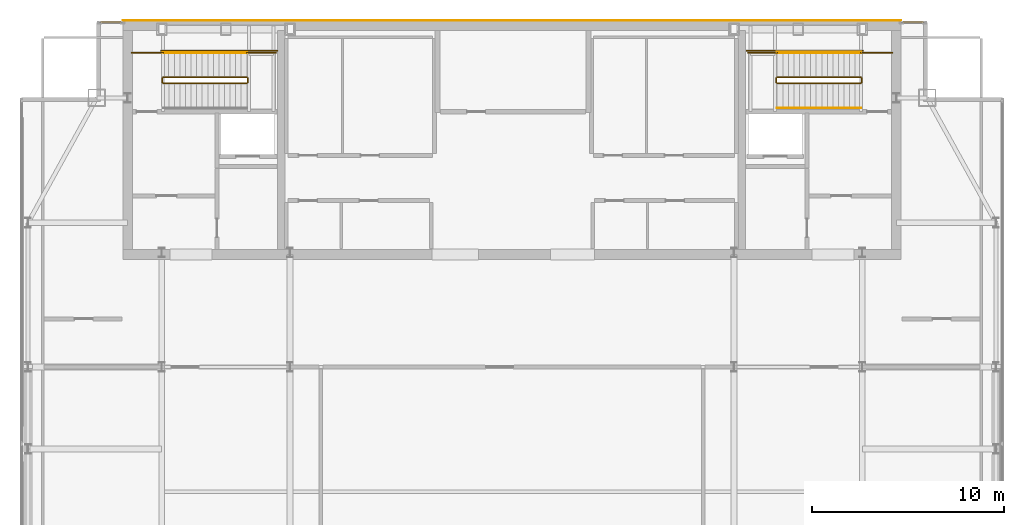
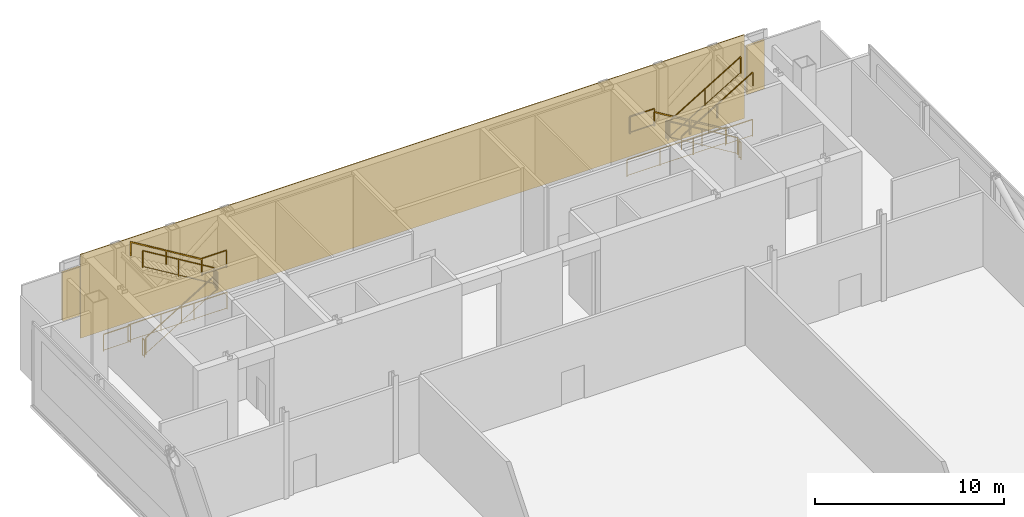
# One storey, part 22 of 22: 17 railings, 2 shading devices, 1 covering.
"""IFC4 building model written with IfcOpenShell, lengths in metres."""

from ifc_helpers import new_model, si_unit, direction, frame, origin, origin_2d, place, context, subcontext, project, spatial, polyline, rectangle, outline, extrude, material, layer, layer_set, type_object, element, save


model = new_model("IFC4")

# Units and contexts
model_context = context("Model", 3, precision=1e-05, world=origin(), true_north=direction((0.0, 1.0)))
body_context = subcontext(model_context, "Body", "Model", "MODEL_VIEW")
ifc_project = project(units=[si_unit("LENGTHUNIT", "METRE"), si_unit("AREAUNIT", "SQUARE_METRE"), si_unit("VOLUMEUNIT", "CUBIC_METRE"), si_unit("PLANEANGLEUNIT", "RADIAN"), si_unit("MASSUNIT", "GRAM", prefix="KILO")], contexts=[model_context])

# Site, building, storey
site_placement = place(None, origin())
site = spatial("IfcSite", under=ifc_project, at=site_placement, CompositionType="ELEMENT")
building_placement = place(site_placement, origin())
building = spatial("IfcBuilding", under=site, at=building_placement, Name="Khoronbel Lancet Exchange", CompositionType="ELEMENT")
storey_placement = place(building_placement, frame((0.0, 0.0, 361.800048828125)))
storey = spatial("IfcBuildingStorey", under=building, at=storey_placement, Name="L93", CompositionType="ELEMENT", Elevation=361.800048828125)

# Covering
ifc_material_1 = material(Name="Honed Egyptian Limestone & Bronze Rainscreen", Category="masonry")
ifc_layer_1 = layer(ifc_material_1, 0.050048828125, Name="Honed Egyptian Limestone & Bronze Rainscreen")
ifc_layer_set_1 = layer_set([ifc_layer_1], Name="Honed Egyptian Limestone & Bronze Rainscreen")
covering_type = type_object("IfcCoveringType", Name="COV-CLAD1", PredefinedType="CLADDING", material=ifc_layer_set_1)
covering_placement = place(storey_placement, origin())
element("IfcCovering", 1, at=covering_placement, inside=storey, type_object=covering_type, Name="Level L93 north rear-core stone and bronze rainscreen cladding", PredefinedType="CLADDING", context=body_context, shape_type="SweptSolid", body=[
    extrude(outline(polyline([(16.199951171875, 53.699951171875), (56.699951171875, 53.699951171875), (56.699951171875, 53.75), (16.199951171875, 53.75), (16.199951171875, 53.699951171875)])), origin(), (0.0, 0.0, 1.0), 5.39990234375),
])

# Railings
ifc_material_2 = material(Name="Painted Steel Balustrade", Category="steel")
railing_type_1 = type_object("IfcRailingType", Name="RL-STG110", PredefinedType="GUARDRAIL", material=ifc_material_2)
railing_1_placement = place(storey_placement, frame((18.300048828125, 50.449951171875, 0.175048828125)))
element("IfcRailing", 2, at=railing_1_placement, inside=storey, type_object=railing_type_1, Name="L93 ST1 stair guard 1", PredefinedType="GUARDRAIL", context=body_context, shape_type="SweptSolid", body=[
    extrude(rectangle(XDim=0.048095703125, YDim=0.048095703125, at=origin_2d()), frame((0.0, 0.0, 1.09619140625), z_axis=(0.856179964356, 0.0, 0.516677722218), x_axis=(0.0, 1.0, 0.0)), (0.0, 0.0, 1.0), 5.08056640625),
    extrude(rectangle(XDim=0.02392578125, YDim=0.02392578125, at=origin_2d()), frame((0.0, 0.0, 0.080078125), z_axis=(0.856179964356, 0.0, 0.516677722218), x_axis=(0.0, 1.0, 0.0)), (0.0, 0.0, 1.0), 5.08056640625),
    extrude(rectangle(XDim=0.0419921875, YDim=0.0419921875, at=origin_2d()), origin(), (0.0, 0.0, 1.0), 1.072021484375),
    extrude(rectangle(XDim=0.0419921875, YDim=0.0419921875, at=origin_2d()), frame((2.1748046875, 0.0, 1.3125)), (0.0, 0.0, 1.0), 1.072021484375),
    extrude(rectangle(XDim=0.0419921875, YDim=0.0419921875, at=origin_2d()), frame((4.349853515625, 0.0, 2.625)), (0.0, 0.0, 1.0), 1.072021484375),
])
railing_2_placement = place(storey_placement, frame((22.699951171875, 50.5, 2.800048828125)))
element("IfcRailing", 3, at=railing_2_placement, inside=storey, type_object=railing_type_1, Name="L93 ST1 stair guard 2", PredefinedType="GUARDRAIL", context=body_context, shape_type="SweptSolid", body=[
    extrude(rectangle(XDim=0.048095703125, YDim=0.048095703125, at=origin_2d()), frame((0.0, 0.0, 1.09619140625), z_axis=(0.0, 1.0, 0.0), x_axis=(-1.0, 0.0, 0.0)), (0.0, 0.0, 1.0), 0.219970703125),
    extrude(rectangle(XDim=0.02392578125, YDim=0.02392578125, at=origin_2d()), frame((0.0, 0.0, 0.080078125), z_axis=(0.0, 1.0, 0.0), x_axis=(-1.0, 0.0, 0.0)), (0.0, 0.0, 1.0), 0.219970703125),
    extrude(rectangle(XDim=0.0419921875, YDim=0.0419921875, at=origin_2d()), origin(), (0.0, 0.0, 1.0), 1.072021484375),
    extrude(rectangle(XDim=0.0419921875, YDim=0.0419921875, at=origin_2d()), frame((0.0, 0.219970703125, 0.0)), (0.0, 0.0, 1.0), 1.072021484375),
])
railing_3_placement = place(storey_placement, frame((22.64990234375, 52.050048828125, 2.800048828125)))
element("IfcRailing", 4, at=railing_3_placement, inside=storey, type_object=railing_type_1, Name="L93 ST1 stair guard 3", PredefinedType="GUARDRAIL", context=body_context, shape_type="SweptSolid", body=[
    extrude(rectangle(XDim=0.048095703125, YDim=0.048095703125, at=origin_2d()), frame((0.0, 0.0, 1.09619140625), z_axis=(1.0, 0.0, 0.0), x_axis=(0.0, 1.0, 0.0)), (0.0, 0.0, 1.0), 1.5),
    extrude(rectangle(XDim=0.02392578125, YDim=0.02392578125, at=origin_2d()), frame((0.0, 0.0, 0.080078125), z_axis=(1.0, 0.0, 0.0), x_axis=(0.0, 1.0, 0.0)), (0.0, 0.0, 1.0), 1.5),
    extrude(rectangle(XDim=0.0419921875, YDim=0.0419921875, at=origin_2d()), origin(), (0.0, 0.0, 1.0), 1.072021484375),
    extrude(rectangle(XDim=0.0419921875, YDim=0.0419921875, at=origin_2d()), frame((1.5, 0.0, 0.0)), (0.0, 0.0, 1.0), 1.072021484375),
])
railing_4_placement = place(storey_placement, frame((22.64990234375, 50.77001953125, 2.974853515625)))
element("IfcRailing", 5, at=railing_4_placement, inside=storey, type_object=railing_type_1, Name="L93 ST1 stair guard 4", PredefinedType="GUARDRAIL", context=body_context, shape_type="SweptSolid", body=[
    extrude(rectangle(XDim=0.048095703125, YDim=0.048095703125, at=origin_2d()), frame((0.0, 0.0, 1.09619140625), z_axis=(-0.856179964356, 0.0, 0.516677722218), x_axis=(0.0, -1.0, 0.0)), (0.0, 0.0, 1.0), 5.08056640625),
    extrude(rectangle(XDim=0.02392578125, YDim=0.02392578125, at=origin_2d()), frame((0.0, 0.0, 0.080078125), z_axis=(-0.856179964356, 0.0, 0.516677722218), x_axis=(0.0, -1.0, 0.0)), (0.0, 0.0, 1.0), 5.08056640625),
    extrude(rectangle(XDim=0.0419921875, YDim=0.0419921875, at=origin_2d()), origin(), (0.0, 0.0, 1.0), 1.072021484375),
    extrude(rectangle(XDim=0.0419921875, YDim=0.0419921875, at=origin_2d()), frame((-2.1748046875, 0.0, 1.3125)), (0.0, 0.0, 1.0), 1.072021484375),
    extrude(rectangle(XDim=0.0419921875, YDim=0.0419921875, at=origin_2d()), frame((-4.349853515625, 0.0, 2.625)), (0.0, 0.0, 1.0), 1.072021484375),
])
railing_5_placement = place(storey_placement, frame((18.25, 50.5, 0.0)))
element("IfcRailing", 6, at=railing_5_placement, inside=storey, type_object=railing_type_1, Name="L93 ST1 stair guard 5", PredefinedType="GUARDRAIL", context=body_context, shape_type="SweptSolid", body=[
    extrude(rectangle(XDim=0.048095703125, YDim=0.048095703125, at=origin_2d()), frame((0.0, 0.0, 1.09619140625), z_axis=(0.0, 1.0, 0.0), x_axis=(-1.0, 0.0, 0.0)), (0.0, 0.0, 1.0), 0.219970703125),
    extrude(rectangle(XDim=0.02392578125, YDim=0.02392578125, at=origin_2d()), frame((0.0, 0.0, 0.080078125), z_axis=(0.0, 1.0, 0.0), x_axis=(-1.0, 0.0, 0.0)), (0.0, 0.0, 1.0), 0.219970703125),
    extrude(rectangle(XDim=0.0419921875, YDim=0.0419921875, at=origin_2d()), origin(), (0.0, 0.0, 1.0), 1.072021484375),
    extrude(rectangle(XDim=0.0419921875, YDim=0.0419921875, at=origin_2d()), frame((0.0, 0.219970703125, 0.0)), (0.0, 0.0, 1.0), 1.072021484375),
])
railing_6_placement = place(storey_placement, frame((16.64990234375, 52.050048828125, 0.0)))
element("IfcRailing", 7, at=railing_6_placement, inside=storey, type_object=railing_type_1, Name="L93 ST1 stair guard 6", PredefinedType="GUARDRAIL", context=body_context, shape_type="SweptSolid", body=[
    extrude(rectangle(XDim=0.048095703125, YDim=0.048095703125, at=origin_2d()), frame((0.0, 0.0, 1.09619140625), z_axis=(1.0, 0.0, 0.0), x_axis=(0.0, 1.0, 0.0)), (0.0, 0.0, 1.0), 1.650146484375),
    extrude(rectangle(XDim=0.02392578125, YDim=0.02392578125, at=origin_2d()), frame((0.0, 0.0, 0.080078125), z_axis=(1.0, 0.0, 0.0), x_axis=(0.0, 1.0, 0.0)), (0.0, 0.0, 1.0), 1.650146484375),
    extrude(rectangle(XDim=0.0419921875, YDim=0.0419921875, at=origin_2d()), origin(), (0.0, 0.0, 1.0), 1.072021484375),
    extrude(rectangle(XDim=0.0419921875, YDim=0.0419921875, at=origin_2d()), frame((1.650146484375, 0.0, 0.0)), (0.0, 0.0, 1.0), 1.072021484375),
])
railing_7_placement = place(storey_placement, frame((18.199951171875, 52.14990234375, 0.0)))
element("IfcRailing", 8, at=railing_7_placement, inside=storey, type_object=railing_type_1, Name="L93 ST1 stair guard 7", PredefinedType="GUARDRAIL", context=body_context, shape_type="SweptSolid", body=[
    extrude(rectangle(XDim=0.048095703125, YDim=0.048095703125, at=origin_2d()), frame((0.0, 0.0, 1.09619140625), z_axis=(1.0, 0.0, 0.0), x_axis=(0.0, 1.0, 0.0)), (0.0, 0.0, 1.0), 6.050048828125),
    extrude(rectangle(XDim=0.02392578125, YDim=0.02392578125, at=origin_2d()), frame((0.0, 0.0, 0.080078125), z_axis=(1.0, 0.0, 0.0), x_axis=(0.0, 1.0, 0.0)), (0.0, 0.0, 1.0), 6.050048828125),
    extrude(rectangle(XDim=0.0419921875, YDim=0.0419921875, at=origin_2d()), origin(), (0.0, 0.0, 1.0), 1.072021484375),
    extrude(rectangle(XDim=0.0419921875, YDim=0.0419921875, at=origin_2d()), frame((2.0166015625, 0.0, 0.0)), (0.0, 0.0, 1.0), 1.072021484375),
    extrude(rectangle(XDim=0.0419921875, YDim=0.0419921875, at=origin_2d()), frame((4.033447265625, 0.0, 0.0)), (0.0, 0.0, 1.0), 1.072021484375),
    extrude(rectangle(XDim=0.0419921875, YDim=0.0419921875, at=origin_2d()), frame((6.050048828125, 0.0, 0.0)), (0.0, 0.0, 1.0), 1.072021484375),
])
railing_8_placement = place(storey_placement, frame((54.60009765625, 50.77001953125, 0.175048828125)))
element("IfcRailing", 9, at=railing_8_placement, inside=storey, type_object=railing_type_1, Name="L93 ST2 stair guard 1", PredefinedType="GUARDRAIL", context=body_context, shape_type="SweptSolid", body=[
    extrude(rectangle(XDim=0.048095703125, YDim=0.048095703125, at=origin_2d()), frame((0.0, 0.0, 1.09619140625), z_axis=(-0.856192791889, 0.0, 0.516656465282), x_axis=(0.0, -1.0, 0.0)), (0.0, 0.0, 1.0), 5.080810546875),
    extrude(rectangle(XDim=0.02392578125, YDim=0.02392578125, at=origin_2d()), frame((0.0, 0.0, 0.080078125), z_axis=(-0.856192791889, 0.0, 0.516656465282), x_axis=(0.0, -1.0, 0.0)), (0.0, 0.0, 1.0), 5.080810546875),
    extrude(rectangle(XDim=0.0419921875, YDim=0.0419921875, at=origin_2d()), origin(), (0.0, 0.0, 1.0), 1.072021484375),
    extrude(rectangle(XDim=0.0419921875, YDim=0.0419921875, at=origin_2d()), frame((-2.175048828125, 0.0, 1.3125)), (0.0, 0.0, 1.0), 1.072021484375),
    extrude(rectangle(XDim=0.0419921875, YDim=0.0419921875, at=origin_2d()), frame((-4.35009765625, 0.0, 2.625)), (0.0, 0.0, 1.0), 1.072021484375),
])
railing_9_placement = place(storey_placement, frame((50.199951171875, 50.719970703125, 2.800048828125)))
element("IfcRailing", 10, at=railing_9_placement, inside=storey, type_object=railing_type_1, Name="L93 ST2 stair guard 2", PredefinedType="GUARDRAIL", context=body_context, shape_type="SweptSolid", body=[
    extrude(rectangle(XDim=0.048095703125, YDim=0.048095703125, at=origin_2d()), frame((0.0, 0.0, 1.09619140625), z_axis=(0.0, -1.0, 0.0), x_axis=(1.0, 0.0, 0.0)), (0.0, 0.0, 1.0), 0.219970703125),
    extrude(rectangle(XDim=0.02392578125, YDim=0.02392578125, at=origin_2d()), frame((0.0, 0.0, 0.080078125), z_axis=(0.0, -1.0, 0.0), x_axis=(1.0, 0.0, 0.0)), (0.0, 0.0, 1.0), 0.219970703125),
    extrude(rectangle(XDim=0.0419921875, YDim=0.0419921875, at=origin_2d()), origin(), (0.0, 0.0, 1.0), 1.072021484375),
    extrude(rectangle(XDim=0.0419921875, YDim=0.0419921875, at=origin_2d()), frame((0.0, -0.219970703125, 0.0)), (0.0, 0.0, 1.0), 1.072021484375),
])
railing_10_placement = place(storey_placement, frame((50.25, 52.050048828125, 2.800048828125)))
element("IfcRailing", 11, at=railing_10_placement, inside=storey, type_object=railing_type_1, Name="L93 ST2 stair guard 3", PredefinedType="GUARDRAIL", context=body_context, shape_type="SweptSolid", body=[
    extrude(rectangle(XDim=0.048095703125, YDim=0.048095703125, at=origin_2d()), frame((0.0, 0.0, 1.09619140625), z_axis=(-1.0, 0.0, 0.0), x_axis=(0.0, -1.0, 0.0)), (0.0, 0.0, 1.0), 1.5),
    extrude(rectangle(XDim=0.02392578125, YDim=0.02392578125, at=origin_2d()), frame((0.0, 0.0, 0.080078125), z_axis=(-1.0, 0.0, 0.0), x_axis=(0.0, -1.0, 0.0)), (0.0, 0.0, 1.0), 1.5),
    extrude(rectangle(XDim=0.0419921875, YDim=0.0419921875, at=origin_2d()), origin(), (0.0, 0.0, 1.0), 1.072021484375),
    extrude(rectangle(XDim=0.0419921875, YDim=0.0419921875, at=origin_2d()), frame((-1.5, 0.0, 0.0)), (0.0, 0.0, 1.0), 1.072021484375),
])
railing_11_placement = place(storey_placement, frame((50.25, 50.449951171875, 2.974853515625)))
element("IfcRailing", 12, at=railing_11_placement, inside=storey, type_object=railing_type_1, Name="L93 ST2 stair guard 4", PredefinedType="GUARDRAIL", context=body_context, shape_type="SweptSolid", body=[
    extrude(rectangle(XDim=0.048095703125, YDim=0.048095703125, at=origin_2d()), frame((0.0, 0.0, 1.09619140625), z_axis=(0.856192791889, 0.0, 0.516656465282), x_axis=(0.0, 1.0, 0.0)), (0.0, 0.0, 1.0), 5.080810546875),
    extrude(rectangle(XDim=0.02392578125, YDim=0.02392578125, at=origin_2d()), frame((0.0, 0.0, 0.080078125), z_axis=(0.856192791889, 0.0, 0.516656465282), x_axis=(0.0, 1.0, 0.0)), (0.0, 0.0, 1.0), 5.080810546875),
    extrude(rectangle(XDim=0.0419921875, YDim=0.0419921875, at=origin_2d()), origin(), (0.0, 0.0, 1.0), 1.072021484375),
    extrude(rectangle(XDim=0.0419921875, YDim=0.0419921875, at=origin_2d()), frame((2.175048828125, 0.0, 1.3125)), (0.0, 0.0, 1.0), 1.072021484375),
    extrude(rectangle(XDim=0.0419921875, YDim=0.0419921875, at=origin_2d()), frame((4.35009765625, 0.0, 2.625)), (0.0, 0.0, 1.0), 1.072021484375),
])
railing_12_placement = place(storey_placement, frame((54.64990234375, 50.719970703125, 0.0)))
element("IfcRailing", 13, at=railing_12_placement, inside=storey, type_object=railing_type_1, Name="L93 ST2 stair guard 5", PredefinedType="GUARDRAIL", context=body_context, shape_type="SweptSolid", body=[
    extrude(rectangle(XDim=0.048095703125, YDim=0.048095703125, at=origin_2d()), frame((0.0, 0.0, 1.09619140625), z_axis=(0.0, -1.0, 0.0), x_axis=(1.0, 0.0, 0.0)), (0.0, 0.0, 1.0), 0.219970703125),
    extrude(rectangle(XDim=0.02392578125, YDim=0.02392578125, at=origin_2d()), frame((0.0, 0.0, 0.080078125), z_axis=(0.0, -1.0, 0.0), x_axis=(1.0, 0.0, 0.0)), (0.0, 0.0, 1.0), 0.219970703125),
    extrude(rectangle(XDim=0.0419921875, YDim=0.0419921875, at=origin_2d()), origin(), (0.0, 0.0, 1.0), 1.072021484375),
    extrude(rectangle(XDim=0.0419921875, YDim=0.0419921875, at=origin_2d()), frame((0.0, -0.219970703125, 0.0)), (0.0, 0.0, 1.0), 1.072021484375),
])
railing_13_placement = place(storey_placement, frame((56.25, 52.050048828125, 0.0)))
element("IfcRailing", 14, at=railing_13_placement, inside=storey, type_object=railing_type_1, Name="L93 ST2 stair guard 6", PredefinedType="GUARDRAIL", context=body_context, shape_type="SweptSolid", body=[
    extrude(rectangle(XDim=0.048095703125, YDim=0.048095703125, at=origin_2d()), frame((0.0, 0.0, 1.09619140625), z_axis=(-1.0, 0.0, 0.0), x_axis=(0.0, -1.0, 0.0)), (0.0, 0.0, 1.0), 1.64990234375),
    extrude(rectangle(XDim=0.02392578125, YDim=0.02392578125, at=origin_2d()), frame((0.0, 0.0, 0.080078125), z_axis=(-1.0, 0.0, 0.0), x_axis=(0.0, -1.0, 0.0)), (0.0, 0.0, 1.0), 1.64990234375),
    extrude(rectangle(XDim=0.0419921875, YDim=0.0419921875, at=origin_2d()), origin(), (0.0, 0.0, 1.0), 1.072021484375),
    extrude(rectangle(XDim=0.0419921875, YDim=0.0419921875, at=origin_2d()), frame((-1.64990234375, 0.0, 0.0)), (0.0, 0.0, 1.0), 1.072021484375),
])
railing_14_placement = place(storey_placement, frame((54.699951171875, 52.14990234375, 0.0)))
element("IfcRailing", 15, at=railing_14_placement, inside=storey, type_object=railing_type_1, Name="L93 ST2 stair guard 7", PredefinedType="GUARDRAIL", context=body_context, shape_type="SweptSolid", body=[
    extrude(rectangle(XDim=0.048095703125, YDim=0.048095703125, at=origin_2d()), frame((0.0, 0.0, 1.09619140625), z_axis=(-1.0, 0.0, 0.0), x_axis=(0.0, -1.0, 0.0)), (0.0, 0.0, 1.0), 6.050048828125),
    extrude(rectangle(XDim=0.02392578125, YDim=0.02392578125, at=origin_2d()), frame((0.0, 0.0, 0.080078125), z_axis=(-1.0, 0.0, 0.0), x_axis=(0.0, -1.0, 0.0)), (0.0, 0.0, 1.0), 6.050048828125),
    extrude(rectangle(XDim=0.0419921875, YDim=0.0419921875, at=origin_2d()), origin(), (0.0, 0.0, 1.0), 1.072021484375),
    extrude(rectangle(XDim=0.0419921875, YDim=0.0419921875, at=origin_2d()), frame((-2.0166015625, 0.0, 0.0)), (0.0, 0.0, 1.0), 1.072021484375),
    extrude(rectangle(XDim=0.0419921875, YDim=0.0419921875, at=origin_2d()), frame((-4.033447265625, 0.0, 0.0)), (0.0, 0.0, 1.0), 1.072021484375),
    extrude(rectangle(XDim=0.0419921875, YDim=0.0419921875, at=origin_2d()), frame((-6.050048828125, 0.0, 0.0)), (0.0, 0.0, 1.0), 1.072021484375),
])
ifc_material_3 = material(Name="Brushed Stainless Steel 316", Category="steel")
railing_type_2 = type_object("IfcRailingType", Name="RL-STH92", PredefinedType="HANDRAIL", material=ifc_material_3)
railing_15_placement = place(storey_placement, frame((22.64990234375, 52.050048828125, 2.974853515625)))
element("IfcRailing", 16, at=railing_15_placement, inside=storey, type_object=railing_type_2, Name="L93 ST1 stair handrail 2", PredefinedType="HANDRAIL", context=body_context, shape_type="SweptSolid", body=[
    extrude(rectangle(XDim=0.048095703125, YDim=0.048095703125, at=origin_2d()), frame((0.0, 0.0, 0.8759765625), z_axis=(-0.856179964356, 0.0, 0.516677722218), x_axis=(0.0, -1.0, 0.0)), (0.0, 0.0, 1.0), 5.08056640625),
    extrude(rectangle(XDim=0.0419921875, YDim=0.0419921875, at=origin_2d()), origin(), (0.0, 0.0, 1.0), 0.851806640625),
    extrude(rectangle(XDim=0.0419921875, YDim=0.0419921875, at=origin_2d()), frame((-2.1748046875, 0.0, 1.3125)), (0.0, 0.0, 1.0), 0.851806640625),
    extrude(rectangle(XDim=0.0419921875, YDim=0.0419921875, at=origin_2d()), frame((-4.349853515625, 0.0, 2.625)), (0.0, 0.0, 1.0), 0.851806640625),
])
railing_16_placement = place(storey_placement, frame((54.60009765625, 52.050048828125, 0.175048828125)))
element("IfcRailing", 17, at=railing_16_placement, inside=storey, type_object=railing_type_2, Name="L93 ST2 stair handrail 1", PredefinedType="HANDRAIL", context=body_context, shape_type="SweptSolid", body=[
    extrude(rectangle(XDim=0.048095703125, YDim=0.048095703125, at=origin_2d()), frame((0.0, 0.0, 0.8759765625), z_axis=(-0.856192791889, 0.0, 0.516656465282), x_axis=(0.0, -1.0, 0.0)), (0.0, 0.0, 1.0), 5.080810546875),
    extrude(rectangle(XDim=0.0419921875, YDim=0.0419921875, at=origin_2d()), origin(), (0.0, 0.0, 1.0), 0.851806640625),
    extrude(rectangle(XDim=0.0419921875, YDim=0.0419921875, at=origin_2d()), frame((-2.175048828125, 0.0, 1.3125)), (0.0, 0.0, 1.0), 0.851806640625),
    extrude(rectangle(XDim=0.0419921875, YDim=0.0419921875, at=origin_2d()), frame((-4.35009765625, 0.0, 2.625)), (0.0, 0.0, 1.0), 0.851806640625),
])
railing_17_placement = place(storey_placement, frame((50.25, 49.169921875, 2.974853515625)))
element("IfcRailing", 18, at=railing_17_placement, inside=storey, type_object=railing_type_2, Name="L93 ST2 stair handrail 2", PredefinedType="HANDRAIL", context=body_context, shape_type="SweptSolid", body=[
    extrude(rectangle(XDim=0.048095703125, YDim=0.048095703125, at=origin_2d()), frame((0.0, 0.0, 0.8759765625), z_axis=(0.856192791889, 0.0, 0.516656465282), x_axis=(0.0, 1.0, 0.0)), (0.0, 0.0, 1.0), 5.080810546875),
    extrude(rectangle(XDim=0.0419921875, YDim=0.0419921875, at=origin_2d()), origin(), (0.0, 0.0, 1.0), 0.851806640625),
    extrude(rectangle(XDim=0.0419921875, YDim=0.0419921875, at=origin_2d()), frame((2.175048828125, 0.0, 1.3125)), (0.0, 0.0, 1.0), 0.851806640625),
    extrude(rectangle(XDim=0.0419921875, YDim=0.0419921875, at=origin_2d()), frame((4.35009765625, 0.0, 2.625)), (0.0, 0.0, 1.0), 0.851806640625),
])

# Shading devices
ifc_material_4 = material(Name="Bronze-Anodised Aluminium 6063-T6", Category="aluminium")
ifc_layer_2 = layer(ifc_material_4, 0.159912109375, Name="Bronze-Anodised Aluminium 6063-T6")
ifc_layer_set_2 = layer_set([ifc_layer_2], Name="Bronze-Anodised Aluminium 6063-T6")
shading_device_type = type_object("IfcShadingDeviceType", Name="SHD-LVR2", PredefinedType="JALOUSIE", material=ifc_layer_set_2)
for number, where, z_axis, x_axis, name in (
    (19, (15.580078125, 53.64990234375, 1.57763671875), (0.0, 0.0, 1.0), (-1.0, 0.0, 0.0), "Sand-trap bronze acoustic louvre CW-L93-NWFLK-1"),
    (20, (57.320068359375, 53.64990234375, 1.57763671875), (0.0, 0.0, 1.0), (-1.0, 0.0, 0.0), "Sand-trap bronze acoustic louvre CW-L93-NEFLK-1"),
):
    element("IfcShadingDevice", number, at=place(storey_placement, frame(where, z_axis=z_axis, x_axis=x_axis)), inside=storey, type_object=shading_device_type, Name=name, PredefinedType="JALOUSIE", context=body_context, shape_type="SweptSolid", body=[
        extrude(rectangle(XDim=1.071044921875, YDim=0.1201171875, at=origin_2d()), origin(), (0.0, 0.0, 1.0), 3.124755859375),
    ])

save(model, "model.ifc")
